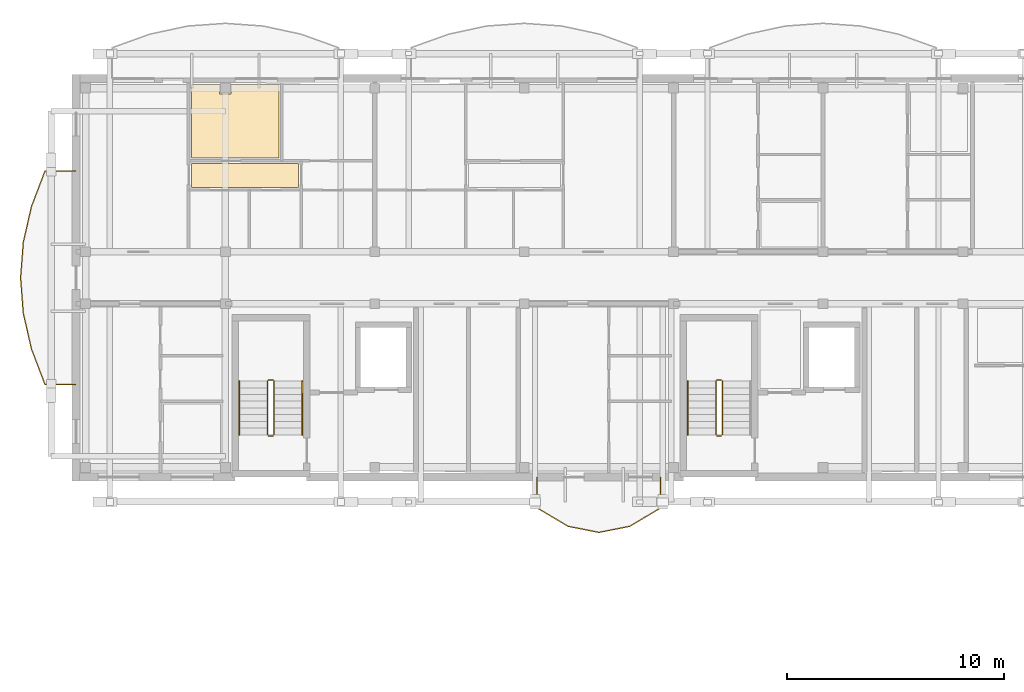
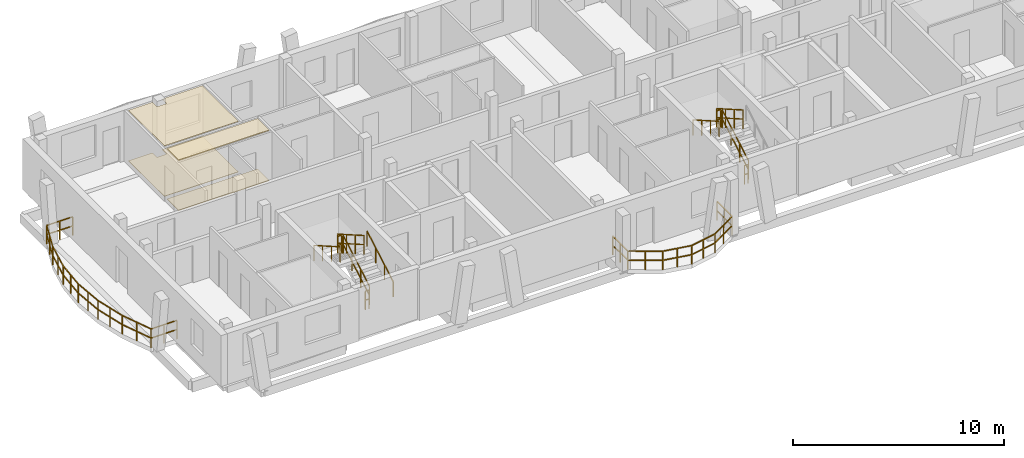
# One storey, part 43 of 52: 13 railings, 4 coverings.
"""IFC4 building model written with IfcOpenShell, lengths in metres."""

from ifc_helpers import new_model, si_unit, direction, frame, origin, origin_2d, place, context, subcontext, project, spatial, polyline, rectangle, outline, extrude, material, layer, layer_set, type_object, element, save


model = new_model("IFC4")

# Units and contexts
model_context = context("Model", 3, precision=1e-05, world=origin(), true_north=direction((0.0, 1.0)))
body_context = subcontext(model_context, "Body", "Model", "MODEL_VIEW")
ifc_project = project(units=[si_unit("LENGTHUNIT", "METRE"), si_unit("AREAUNIT", "SQUARE_METRE"), si_unit("VOLUMEUNIT", "CUBIC_METRE"), si_unit("PLANEANGLEUNIT", "RADIAN"), si_unit("MASSUNIT", "GRAM", prefix="KILO")], contexts=[model_context])

# Site, building, storey
site_placement = place(None, origin())
site = spatial("IfcSite", under=ifc_project, at=site_placement, CompositionType="ELEMENT")
building_placement = place(site_placement, origin())
building = spatial("IfcBuilding", under=site, at=building_placement, Name="Zavelmont Quarter", CompositionType="ELEMENT")
storey_placement = place(building_placement, frame((0.0, 0.0, 14.39990234375)))
storey = spatial("IfcBuildingStorey", under=building, at=storey_placement, Name="L04", CompositionType="ELEMENT", Elevation=14.39990234375)

# Coverings
ifc_material_1 = material(Name="Perforated acoustic gypsum board")
ifc_layer_1 = layer(ifc_material_1, 0.02490234375)
ifc_layer_set_1 = layer_set([ifc_layer_1], Name="Perforated acoustic gypsum board")
covering_type_1 = type_object("IfcCoveringType", Name="CV-CL01", PredefinedType="CEILING", material=ifc_layer_set_1)
covering_1_placement = place(storey_placement, frame((0.0, 0.0, 2.9150390625)))
element("IfcCovering", 1, at=covering_1_placement, inside=storey, type_object=covering_type_1, Name="L04 Master Bedroom acoustic ceiling", PredefinedType="CEILING", context=body_context, shape_type="SweptSolid", body=[
    extrude(outline(polyline([(5.330078125, 115.719970703125), (6.635009765625, 115.719970703125), (6.635009765625, 115.294921875), (7.1650390625, 115.294921875), (7.1650390625, 115.719970703125), (9.3701171875, 115.719970703125), (9.3701171875, 112.330078125), (5.330078125, 112.330078125), (5.330078125, 115.719970703125)])), origin(), (0.0, 0.0, 1.0), 0.025146484375),
])
ifc_material_2 = material(Name="Slatted European ash acoustic baffle ceiling")
ifc_layer_2 = layer(ifc_material_2, 0.0400390625)
ifc_layer_set_2 = layer_set([ifc_layer_2], Name="Slatted European ash acoustic baffle ceiling")
covering_type_2 = type_object("IfcCoveringType", Name="CV-CL02", PredefinedType="CEILING", material=ifc_layer_set_2)
covering_2_placement = place(storey_placement, frame((0.0, 0.0, 2.900146484375)))
element("IfcCovering", 2, at=covering_2_placement, inside=storey, type_object=covering_type_2, Name="L04 Apartment Hall acoustic ceiling", PredefinedType="CEILING", context=body_context, shape_type="SweptSolid", body=[
    extrude(outline(polyline([(5.330078125, 112.070068359375), (10.27001953125, 112.070068359375), (10.27001953125, 110.97998046875), (5.330078125, 110.97998046875), (5.330078125, 112.070068359375)])), origin(), (0.0, 0.0, 1.0), 0.0400390625),
])
ifc_material_3 = material(Name="Engineered European oak parquet")
ifc_layer_3 = layer(ifc_material_3, 0.02197265625)
ifc_layer_set_3 = layer_set([ifc_layer_3], Name="Engineered European oak parquet")
covering_type_3 = type_object("IfcCoveringType", Name="CV-FL01", PredefinedType="FLOORING", material=ifc_layer_set_3)
covering_3_placement = place(storey_placement, origin())
element("IfcCovering", 3, at=covering_3_placement, inside=storey, type_object=covering_type_3, Name="L04 Master Bedroom floor finish", PredefinedType="FLOORING", context=body_context, shape_type="SweptSolid", body=[
    extrude(outline(polyline([(5.330078125, 115.719970703125), (6.635009765625, 115.719970703125), (6.635009765625, 115.294921875), (7.1650390625, 115.294921875), (7.1650390625, 115.719970703125), (9.3701171875, 115.719970703125), (9.3701171875, 112.330078125), (5.330078125, 112.330078125), (5.330078125, 115.719970703125)])), origin(), (0.0, 0.0, 1.0), 0.022216796875),
])
ifc_material_4 = material(Name="Honed Belgian bluestone tile", Category="masonry")
ifc_layer_4 = layer(ifc_material_4, 0.030029296875)
ifc_layer_set_4 = layer_set([ifc_layer_4], Name="Honed Belgian bluestone tile")
covering_type_4 = type_object("IfcCoveringType", Name="CV-FL02", PredefinedType="FLOORING", material=ifc_layer_set_4)
covering_4_placement = place(storey_placement, origin())
element("IfcCovering", 4, at=covering_4_placement, inside=storey, type_object=covering_type_4, Name="L04 Apartment Hall floor finish", PredefinedType="FLOORING", context=body_context, shape_type="SweptSolid", body=[
    extrude(outline(polyline([(5.330078125, 112.070068359375), (10.27001953125, 112.070068359375), (10.27001953125, 110.97998046875), (5.330078125, 110.97998046875), (5.330078125, 112.070068359375)])), origin(), (0.0, 0.0, 1.0), 0.030029296875),
])

# Railings
ifc_material_5 = material(Name="Powder-coated steel and tempered double safety glass", Category="steel")
railing_type_1 = type_object("IfcRailingType", Name="RL-BAL1", PredefinedType="BALUSTRADE", material=ifc_material_5)
railing_1_placement = place(storey_placement, frame((-0.02001953125, 111.731689453125, 0.0)))
element("IfcRailing", 5, at=railing_1_placement, inside=storey, type_object=railing_type_1, Name="L04 Block B curved balcony guard RL-BAL1", PredefinedType="BALUSTRADE", context=body_context, shape_type="SweptSolid", body=[
    extrude(rectangle(XDim=0.048095703125, YDim=0.048095703125, at=origin_2d()), frame((0.0, 0.0, 1.076171875), z_axis=(-1.0, 0.0, 0.0), x_axis=(0.0, -1.0, 0.0)), (0.0, 0.0, 1.0), 1.414794921875),
    extrude(rectangle(XDim=0.048095703125, YDim=0.048095703125, at=origin_2d()), frame((0.0, 0.0, 0.550048828125), z_axis=(-1.0, 0.0, 0.0), x_axis=(0.0, -1.0, 0.0)), (0.0, 0.0, 1.0), 1.414794921875),
    extrude(rectangle(XDim=0.048095703125, YDim=0.048095703125, at=origin_2d()), frame((-1.414794921875, 0.0, 1.076171875), z_axis=(-0.355954931702, -0.93450312284, 0.0), x_axis=(0.93450312284, -0.355954931702, 0.0)), (0.0, 0.0, 1.0), 1.75927734375),
    extrude(rectangle(XDim=0.048095703125, YDim=0.048095703125, at=origin_2d()), frame((-1.414794921875, 0.0, 0.550048828125), z_axis=(-0.355954931702, -0.93450312284, 0.0), x_axis=(0.93450312284, -0.355954931702, 0.0)), (0.0, 0.0, 1.0), 1.75927734375),
    extrude(rectangle(XDim=0.048095703125, YDim=0.048095703125, at=origin_2d()), frame((-2.041015625, -1.64404296875, 1.076171875), z_axis=(-0.222828732905, -0.974857607957, 0.0), x_axis=(0.974857607957, -0.222828732905, 0.0)), (0.0, 0.0, 1.0), 1.686279296875),
    extrude(rectangle(XDim=0.048095703125, YDim=0.048095703125, at=origin_2d()), frame((-2.041015625, -1.64404296875, 0.550048828125), z_axis=(-0.222828732905, -0.974857607957, 0.0), x_axis=(0.974857607957, -0.222828732905, 0.0)), (0.0, 0.0, 1.0), 1.686279296875),
    extrude(rectangle(XDim=0.048095703125, YDim=0.048095703125, at=origin_2d()), frame((-2.416748046875, -3.287841796875, 1.076171875), z_axis=(-0.075971694197, -0.997109974717, 0.0), x_axis=(0.997109974717, -0.075971694197, 0.0)), (0.0, 0.0, 1.0), 1.648681640625),
    extrude(rectangle(XDim=0.048095703125, YDim=0.048095703125, at=origin_2d()), frame((-2.416748046875, -3.287841796875, 0.550048828125), z_axis=(-0.075971694197, -0.997109974717, 0.0), x_axis=(0.997109974717, -0.075971694197, 0.0)), (0.0, 0.0, 1.0), 1.648681640625),
    extrude(rectangle(XDim=0.048095703125, YDim=0.048095703125, at=origin_2d()), frame((-2.5419921875, -4.931640625, 1.076171875), z_axis=(0.07596047749, -0.997110829276, 0.0), x_axis=(0.997110829276, 0.07596047749, 0.0)), (0.0, 0.0, 1.0), 1.64892578125),
    extrude(rectangle(XDim=0.048095703125, YDim=0.048095703125, at=origin_2d()), frame((-2.5419921875, -4.931640625, 0.550048828125), z_axis=(0.07596047749, -0.997110829276, 0.0), x_axis=(0.997110829276, 0.07596047749, 0.0)), (0.0, 0.0, 1.0), 1.64892578125),
    extrude(rectangle(XDim=0.048095703125, YDim=0.048095703125, at=origin_2d()), frame((-2.416748046875, -6.57568359375, 1.076171875), z_axis=(0.222828732905, -0.974857607957, 0.0), x_axis=(0.974857607957, 0.222828732905, 0.0)), (0.0, 0.0, 1.0), 1.686279296875),
    extrude(rectangle(XDim=0.048095703125, YDim=0.048095703125, at=origin_2d()), frame((-2.416748046875, -6.57568359375, 0.550048828125), z_axis=(0.222828732905, -0.974857607957, 0.0), x_axis=(0.974857607957, 0.222828732905, 0.0)), (0.0, 0.0, 1.0), 1.686279296875),
    extrude(rectangle(XDim=0.048095703125, YDim=0.048095703125, at=origin_2d()), frame((-2.041015625, -8.219482421875, 1.076171875), z_axis=(0.356001099128, -0.934485536228, 0.0), x_axis=(0.934485536228, 0.356001099128, 0.0)), (0.0, 0.0, 1.0), 1.759033203125),
    extrude(rectangle(XDim=0.048095703125, YDim=0.048095703125, at=origin_2d()), frame((-2.041015625, -8.219482421875, 0.550048828125), z_axis=(0.356001099128, -0.934485536228, 0.0), x_axis=(0.934485536228, 0.356001099128, 0.0)), (0.0, 0.0, 1.0), 1.759033203125),
    extrude(rectangle(XDim=0.048095703125, YDim=0.048095703125, at=origin_2d()), frame((-1.414794921875, -9.86328125, 1.076171875), z_axis=(1.0, 0.0, 0.0), x_axis=(0.0, 1.0, 0.0)), (0.0, 0.0, 1.0), 1.414794921875),
    extrude(rectangle(XDim=0.048095703125, YDim=0.048095703125, at=origin_2d()), frame((-1.414794921875, -9.86328125, 0.550048828125), z_axis=(1.0, 0.0, 0.0), x_axis=(0.0, 1.0, 0.0)), (0.0, 0.0, 1.0), 1.414794921875),
    extrude(rectangle(XDim=0.0419921875, YDim=0.0419921875, at=origin_2d()), origin(), (0.0, 0.0, 1.0), 1.052001953125),
    extrude(rectangle(XDim=0.0419921875, YDim=0.0419921875, at=origin_2d()), frame((-0.70751953125, 0.0, 0.0)), (0.0, 0.0, 1.0), 1.052001953125),
    extrude(rectangle(XDim=0.0419921875, YDim=0.0419921875, at=origin_2d()), frame((-1.414794921875, 0.0, 0.0)), (0.0, 0.0, 1.0), 1.052001953125),
    extrude(rectangle(XDim=0.0419921875, YDim=0.0419921875, at=origin_2d()), frame((-1.72802734375, -0.822021484375, 0.0)), (0.0, 0.0, 1.0), 1.052001953125),
    extrude(rectangle(XDim=0.0419921875, YDim=0.0419921875, at=origin_2d()), frame((-2.041015625, -1.64404296875, 0.0)), (0.0, 0.0, 1.0), 1.052001953125),
    extrude(rectangle(XDim=0.0419921875, YDim=0.0419921875, at=origin_2d()), frame((-2.22900390625, -2.4658203125, 0.0)), (0.0, 0.0, 1.0), 1.052001953125),
    extrude(rectangle(XDim=0.0419921875, YDim=0.0419921875, at=origin_2d()), frame((-2.416748046875, -3.287841796875, 0.0)), (0.0, 0.0, 1.0), 1.052001953125),
    extrude(rectangle(XDim=0.0419921875, YDim=0.0419921875, at=origin_2d()), frame((-2.4794921875, -4.10986328125, 0.0)), (0.0, 0.0, 1.0), 1.052001953125),
    extrude(rectangle(XDim=0.0419921875, YDim=0.0419921875, at=origin_2d()), frame((-2.5419921875, -4.931640625, 0.0)), (0.0, 0.0, 1.0), 1.052001953125),
    extrude(rectangle(XDim=0.0419921875, YDim=0.0419921875, at=origin_2d()), frame((-2.4794921875, -5.753662109375, 0.0)), (0.0, 0.0, 1.0), 1.052001953125),
    extrude(rectangle(XDim=0.0419921875, YDim=0.0419921875, at=origin_2d()), frame((-2.416748046875, -6.57568359375, 0.0)), (0.0, 0.0, 1.0), 1.052001953125),
    extrude(rectangle(XDim=0.0419921875, YDim=0.0419921875, at=origin_2d()), frame((-2.22900390625, -7.3974609375, 0.0)), (0.0, 0.0, 1.0), 1.052001953125),
    extrude(rectangle(XDim=0.0419921875, YDim=0.0419921875, at=origin_2d()), frame((-2.041015625, -8.219482421875, 0.0)), (0.0, 0.0, 1.0), 1.052001953125),
    extrude(rectangle(XDim=0.0419921875, YDim=0.0419921875, at=origin_2d()), frame((-1.72802734375, -9.04150390625, 0.0)), (0.0, 0.0, 1.0), 1.052001953125),
    extrude(rectangle(XDim=0.0419921875, YDim=0.0419921875, at=origin_2d()), frame((-1.414794921875, -9.86328125, 0.0)), (0.0, 0.0, 1.0), 1.052001953125),
    extrude(rectangle(XDim=0.0419921875, YDim=0.0419921875, at=origin_2d()), frame((-0.70751953125, -9.86328125, 0.0)), (0.0, 0.0, 1.0), 1.052001953125),
    extrude(rectangle(XDim=0.0419921875, YDim=0.0419921875, at=origin_2d()), frame((0.0, -9.86328125, 0.0)), (0.0, 0.0, 1.0), 1.052001953125),
])
railing_2_placement = place(storey_placement, frame((21.300048828125, 97.580078125, 0.0)))
element("IfcRailing", 6, at=railing_2_placement, inside=storey, type_object=railing_type_1, Name="L04 Block B curved balcony guard RL-BAL1", PredefinedType="BALUSTRADE", context=body_context, shape_type="SweptSolid", body=[
    extrude(rectangle(XDim=0.048095703125, YDim=0.048095703125, at=origin_2d()), frame((0.0, 0.0, 1.076171875), z_axis=(0.0, -1.0, 0.0), x_axis=(1.0, 0.0, 0.0)), (0.0, 0.0, 1.0), 1.414794921875),
    extrude(rectangle(XDim=0.048095703125, YDim=0.048095703125, at=origin_2d()), frame((0.0, 0.0, 0.550048828125), z_axis=(0.0, -1.0, 0.0), x_axis=(1.0, 0.0, 0.0)), (0.0, 0.0, 1.0), 1.414794921875),
    extrude(rectangle(XDim=0.048095703125, YDim=0.048095703125, at=origin_2d()), frame((0.0, -1.414794921875, 1.076171875), z_axis=(0.860030544814, -0.510242552114, 0.0), x_axis=(0.510242552114, 0.860030544814, 0.0)), (0.0, 0.0, 1.0), 1.656982421875),
    extrude(rectangle(XDim=0.048095703125, YDim=0.048095703125, at=origin_2d()), frame((0.0, -1.414794921875, 0.550048828125), z_axis=(0.860030544814, -0.510242552114, 0.0), x_axis=(0.510242552114, 0.860030544814, 0.0)), (0.0, 0.0, 1.0), 1.656982421875),
    extrude(rectangle(XDim=0.048095703125, YDim=0.048095703125, at=origin_2d()), frame((1.425048828125, -2.26025390625, 1.076171875), z_axis=(0.981005058503, -0.193982151733, 0.0), x_axis=(0.193982151733, 0.981005058503, 0.0)), (0.0, 0.0, 1.0), 1.452392578125),
    extrude(rectangle(XDim=0.048095703125, YDim=0.048095703125, at=origin_2d()), frame((1.425048828125, -2.26025390625, 0.550048828125), z_axis=(0.981005058503, -0.193982151733, 0.0), x_axis=(0.193982151733, 0.981005058503, 0.0)), (0.0, 0.0, 1.0), 1.452392578125),
    extrude(rectangle(XDim=0.048095703125, YDim=0.048095703125, at=origin_2d()), frame((2.849853515625, -2.5419921875, 1.076171875), z_axis=(0.981011382215, 0.193950168764, 0.0), x_axis=(-0.193950168764, 0.981011382215, 0.0)), (0.0, 0.0, 1.0), 1.45263671875),
    extrude(rectangle(XDim=0.048095703125, YDim=0.048095703125, at=origin_2d()), frame((2.849853515625, -2.5419921875, 0.550048828125), z_axis=(0.981011382215, 0.193950168764, 0.0), x_axis=(-0.193950168764, 0.981011382215, 0.0)), (0.0, 0.0, 1.0), 1.45263671875),
    extrude(rectangle(XDim=0.048095703125, YDim=0.048095703125, at=origin_2d()), frame((4.27490234375, -2.26025390625, 1.076171875), z_axis=(0.860030544814, 0.510242552114, 0.0), x_axis=(-0.510242552114, 0.860030544814, 0.0)), (0.0, 0.0, 1.0), 1.656982421875),
    extrude(rectangle(XDim=0.048095703125, YDim=0.048095703125, at=origin_2d()), frame((4.27490234375, -2.26025390625, 0.550048828125), z_axis=(0.860030544814, 0.510242552114, 0.0), x_axis=(-0.510242552114, 0.860030544814, 0.0)), (0.0, 0.0, 1.0), 1.656982421875),
    extrude(rectangle(XDim=0.048095703125, YDim=0.048095703125, at=origin_2d()), frame((5.699951171875, -1.414794921875, 1.076171875), z_axis=(0.0, 1.0, 0.0), x_axis=(-1.0, 0.0, 0.0)), (0.0, 0.0, 1.0), 1.414794921875),
    extrude(rectangle(XDim=0.048095703125, YDim=0.048095703125, at=origin_2d()), frame((5.699951171875, -1.414794921875, 0.550048828125), z_axis=(0.0, 1.0, 0.0), x_axis=(-1.0, 0.0, 0.0)), (0.0, 0.0, 1.0), 1.414794921875),
    extrude(rectangle(XDim=0.0419921875, YDim=0.0419921875, at=origin_2d()), origin(), (0.0, 0.0, 1.0), 1.052001953125),
    extrude(rectangle(XDim=0.0419921875, YDim=0.0419921875, at=origin_2d()), frame((0.0, -0.70751953125, 0.0)), (0.0, 0.0, 1.0), 1.052001953125),
    extrude(rectangle(XDim=0.0419921875, YDim=0.0419921875, at=origin_2d()), frame((0.0, -1.414794921875, 0.0)), (0.0, 0.0, 1.0), 1.052001953125),
    extrude(rectangle(XDim=0.0419921875, YDim=0.0419921875, at=origin_2d()), frame((0.71240234375, -1.83740234375, 0.0)), (0.0, 0.0, 1.0), 1.052001953125),
    extrude(rectangle(XDim=0.0419921875, YDim=0.0419921875, at=origin_2d()), frame((1.425048828125, -2.26025390625, 0.0)), (0.0, 0.0, 1.0), 1.052001953125),
    extrude(rectangle(XDim=0.0419921875, YDim=0.0419921875, at=origin_2d()), frame((2.137451171875, -2.401123046875, 0.0)), (0.0, 0.0, 1.0), 1.052001953125),
    extrude(rectangle(XDim=0.0419921875, YDim=0.0419921875, at=origin_2d()), frame((2.849853515625, -2.5419921875, 0.0)), (0.0, 0.0, 1.0), 1.052001953125),
    extrude(rectangle(XDim=0.0419921875, YDim=0.0419921875, at=origin_2d()), frame((3.5625, -2.401123046875, 0.0)), (0.0, 0.0, 1.0), 1.052001953125),
    extrude(rectangle(XDim=0.0419921875, YDim=0.0419921875, at=origin_2d()), frame((4.27490234375, -2.26025390625, 0.0)), (0.0, 0.0, 1.0), 1.052001953125),
    extrude(rectangle(XDim=0.0419921875, YDim=0.0419921875, at=origin_2d()), frame((4.9873046875, -1.83740234375, 0.0)), (0.0, 0.0, 1.0), 1.052001953125),
    extrude(rectangle(XDim=0.0419921875, YDim=0.0419921875, at=origin_2d()), frame((5.699951171875, -1.414794921875, 0.0)), (0.0, 0.0, 1.0), 1.052001953125),
    extrude(rectangle(XDim=0.0419921875, YDim=0.0419921875, at=origin_2d()), frame((5.699951171875, -0.70751953125, 0.0)), (0.0, 0.0, 1.0), 1.052001953125),
    extrude(rectangle(XDim=0.0419921875, YDim=0.0419921875, at=origin_2d()), frame((5.699951171875, 0.0, 0.0)), (0.0, 0.0, 1.0), 1.052001953125),
])
ifc_material_6 = material(Name="Powder-coated steel stair guardrail", Category="steel")
railing_type_2 = type_object("IfcRailingType", Name="RL-GRD1", PredefinedType="GUARDRAIL", material=ifc_material_6)
railing_3_placement = place(storey_placement, frame((9.14990234375, 99.550048828125, 0.177978515625)))
element("IfcRailing", 7, at=railing_3_placement, inside=storey, type_object=railing_type_2, Name="L04 ST03 stair guardrail 1", PredefinedType="GUARDRAIL", context=body_context, shape_type="SweptSolid", body=[
    extrude(rectangle(XDim=0.048095703125, YDim=0.048095703125, at=origin_2d()), frame((0.0, 0.0, 1.076171875), z_axis=(0.0, 0.867490628297, 0.497453525283), x_axis=(-1.0, 0.0, 0.0)), (0.0, 0.0, 1.0), 2.85888671875),
    extrude(rectangle(XDim=0.048095703125, YDim=0.048095703125, at=origin_2d()), frame((0.0, 0.0, 0.550048828125), z_axis=(0.0, 0.867490628297, 0.497453525283), x_axis=(-1.0, 0.0, 0.0)), (0.0, 0.0, 1.0), 2.85888671875),
    extrude(rectangle(XDim=0.0419921875, YDim=0.0419921875, at=origin_2d()), origin(), (0.0, 0.0, 1.0), 1.052001953125),
    extrude(rectangle(XDim=0.0419921875, YDim=0.0419921875, at=origin_2d()), frame((0.0, 0.82666015625, 0.47412109375)), (0.0, 0.0, 1.0), 1.052001953125),
    extrude(rectangle(XDim=0.0419921875, YDim=0.0419921875, at=origin_2d()), frame((0.0, 1.6533203125, 0.947998046875)), (0.0, 0.0, 1.0), 1.052001953125),
    extrude(rectangle(XDim=0.0419921875, YDim=0.0419921875, at=origin_2d()), frame((0.0, 2.47998046875, 1.422119140625)), (0.0, 0.0, 1.0), 1.052001953125),
])
railing_4_placement = place(storey_placement, frame((9.10009765625, 102.080078125, 1.60009765625)))
element("IfcRailing", 8, at=railing_4_placement, inside=storey, type_object=railing_type_2, Name="L04 ST03 stair guardrail 2", PredefinedType="GUARDRAIL", context=body_context, shape_type="SweptSolid", body=[
    extrude(rectangle(XDim=0.048095703125, YDim=0.048095703125, at=origin_2d()), frame((0.0, 0.0, 1.076171875), z_axis=(-1.0, 0.0, 0.0), x_axis=(0.0, -1.0, 0.0)), (0.0, 0.0, 1.0), 0.2001953125),
    extrude(rectangle(XDim=0.048095703125, YDim=0.048095703125, at=origin_2d()), frame((0.0, 0.0, 0.550048828125), z_axis=(-1.0, 0.0, 0.0), x_axis=(0.0, -1.0, 0.0)), (0.0, 0.0, 1.0), 0.2001953125),
    extrude(rectangle(XDim=0.0419921875, YDim=0.0419921875, at=origin_2d()), origin(), (0.0, 0.0, 1.0), 1.052001953125),
    extrude(rectangle(XDim=0.0419921875, YDim=0.0419921875, at=origin_2d()), frame((-0.2001953125, 0.0, 0.0)), (0.0, 0.0, 1.0), 1.052001953125),
])
railing_5_placement = place(storey_placement, frame((8.85009765625, 102.030029296875, 1.77783203125)))
element("IfcRailing", 9, at=railing_5_placement, inside=storey, type_object=railing_type_2, Name="L04 ST03 stair guardrail 3", PredefinedType="GUARDRAIL", context=body_context, shape_type="SweptSolid", body=[
    extrude(rectangle(XDim=0.048095703125, YDim=0.048095703125, at=origin_2d()), frame((0.0, 0.0, 1.076171875), z_axis=(0.0, -0.867453774394, 0.497517787913), x_axis=(1.0, 0.0, 0.0)), (0.0, 0.0, 1.0), 2.85888671875),
    extrude(rectangle(XDim=0.048095703125, YDim=0.048095703125, at=origin_2d()), frame((0.0, 0.0, 0.550048828125), z_axis=(0.0, -0.867453774394, 0.497517787913), x_axis=(1.0, 0.0, 0.0)), (0.0, 0.0, 1.0), 2.85888671875),
    extrude(rectangle(XDim=0.0419921875, YDim=0.0419921875, at=origin_2d()), origin(), (0.0, 0.0, 1.0), 1.052001953125),
    extrude(rectangle(XDim=0.0419921875, YDim=0.0419921875, at=origin_2d()), frame((0.0, -0.82666015625, 0.47412109375)), (0.0, 0.0, 1.0), 1.052001953125),
    extrude(rectangle(XDim=0.0419921875, YDim=0.0419921875, at=origin_2d()), frame((0.0, -1.6533203125, 0.9482421875)), (0.0, 0.0, 1.0), 1.052001953125),
    extrude(rectangle(XDim=0.0419921875, YDim=0.0419921875, at=origin_2d()), frame((0.0, -2.47998046875, 1.42236328125)), (0.0, 0.0, 1.0), 1.052001953125),
])
railing_6_placement = place(storey_placement, frame((9.10009765625, 99.5, 0.0)))
element("IfcRailing", 10, at=railing_6_placement, inside=storey, type_object=railing_type_2, Name="L04 ST03 stair guardrail 4", PredefinedType="GUARDRAIL", context=body_context, shape_type="SweptSolid", body=[
    extrude(rectangle(XDim=0.048095703125, YDim=0.048095703125, at=origin_2d()), frame((0.0, 0.0, 1.076171875), z_axis=(-1.0, 0.0, 0.0), x_axis=(0.0, -1.0, 0.0)), (0.0, 0.0, 1.0), 0.2001953125),
    extrude(rectangle(XDim=0.048095703125, YDim=0.048095703125, at=origin_2d()), frame((0.0, 0.0, 0.550048828125), z_axis=(-1.0, 0.0, 0.0), x_axis=(0.0, -1.0, 0.0)), (0.0, 0.0, 1.0), 0.2001953125),
    extrude(rectangle(XDim=0.0419921875, YDim=0.0419921875, at=origin_2d()), origin(), (0.0, 0.0, 1.0), 1.052001953125),
    extrude(rectangle(XDim=0.0419921875, YDim=0.0419921875, at=origin_2d()), frame((-0.2001953125, 0.0, 0.0)), (0.0, 0.0, 1.0), 1.052001953125),
])
railing_7_placement = place(storey_placement, frame((29.85009765625, 99.550048828125, 0.177978515625)))
element("IfcRailing", 11, at=railing_7_placement, inside=storey, type_object=railing_type_2, Name="L04 ST04 stair guardrail 1", PredefinedType="GUARDRAIL", context=body_context, shape_type="SweptSolid", body=[
    extrude(rectangle(XDim=0.048095703125, YDim=0.048095703125, at=origin_2d()), frame((0.0, 0.0, 1.076171875), z_axis=(0.0, 0.867490628297, 0.497453525283), x_axis=(-1.0, 0.0, 0.0)), (0.0, 0.0, 1.0), 2.85888671875),
    extrude(rectangle(XDim=0.048095703125, YDim=0.048095703125, at=origin_2d()), frame((0.0, 0.0, 0.550048828125), z_axis=(0.0, 0.867490628297, 0.497453525283), x_axis=(-1.0, 0.0, 0.0)), (0.0, 0.0, 1.0), 2.85888671875),
    extrude(rectangle(XDim=0.0419921875, YDim=0.0419921875, at=origin_2d()), origin(), (0.0, 0.0, 1.0), 1.052001953125),
    extrude(rectangle(XDim=0.0419921875, YDim=0.0419921875, at=origin_2d()), frame((0.0, 0.82666015625, 0.47412109375)), (0.0, 0.0, 1.0), 1.052001953125),
    extrude(rectangle(XDim=0.0419921875, YDim=0.0419921875, at=origin_2d()), frame((0.0, 1.6533203125, 0.947998046875)), (0.0, 0.0, 1.0), 1.052001953125),
    extrude(rectangle(XDim=0.0419921875, YDim=0.0419921875, at=origin_2d()), frame((0.0, 2.47998046875, 1.422119140625)), (0.0, 0.0, 1.0), 1.052001953125),
])
railing_8_placement = place(storey_placement, frame((29.800048828125, 102.080078125, 1.60009765625)))
element("IfcRailing", 12, at=railing_8_placement, inside=storey, type_object=railing_type_2, Name="L04 ST04 stair guardrail 2", PredefinedType="GUARDRAIL", context=body_context, shape_type="SweptSolid", body=[
    extrude(rectangle(XDim=0.048095703125, YDim=0.048095703125, at=origin_2d()), frame((0.0, 0.0, 1.076171875), z_axis=(-1.0, 0.0, 0.0), x_axis=(0.0, -1.0, 0.0)), (0.0, 0.0, 1.0), 0.199951171875),
    extrude(rectangle(XDim=0.048095703125, YDim=0.048095703125, at=origin_2d()), frame((0.0, 0.0, 0.550048828125), z_axis=(-1.0, 0.0, 0.0), x_axis=(0.0, -1.0, 0.0)), (0.0, 0.0, 1.0), 0.199951171875),
    extrude(rectangle(XDim=0.0419921875, YDim=0.0419921875, at=origin_2d()), origin(), (0.0, 0.0, 1.0), 1.052001953125),
    extrude(rectangle(XDim=0.0419921875, YDim=0.0419921875, at=origin_2d()), frame((-0.199951171875, 0.0, 0.0)), (0.0, 0.0, 1.0), 1.052001953125),
])
railing_9_placement = place(storey_placement, frame((29.550048828125, 102.030029296875, 1.77783203125)))
element("IfcRailing", 13, at=railing_9_placement, inside=storey, type_object=railing_type_2, Name="L04 ST04 stair guardrail 3", PredefinedType="GUARDRAIL", context=body_context, shape_type="SweptSolid", body=[
    extrude(rectangle(XDim=0.048095703125, YDim=0.048095703125, at=origin_2d()), frame((0.0, 0.0, 1.076171875), z_axis=(0.0, -0.867453774394, 0.497517787913), x_axis=(1.0, 0.0, 0.0)), (0.0, 0.0, 1.0), 2.85888671875),
    extrude(rectangle(XDim=0.048095703125, YDim=0.048095703125, at=origin_2d()), frame((0.0, 0.0, 0.550048828125), z_axis=(0.0, -0.867453774394, 0.497517787913), x_axis=(1.0, 0.0, 0.0)), (0.0, 0.0, 1.0), 2.85888671875),
    extrude(rectangle(XDim=0.0419921875, YDim=0.0419921875, at=origin_2d()), origin(), (0.0, 0.0, 1.0), 1.052001953125),
    extrude(rectangle(XDim=0.0419921875, YDim=0.0419921875, at=origin_2d()), frame((0.0, -0.82666015625, 0.47412109375)), (0.0, 0.0, 1.0), 1.052001953125),
    extrude(rectangle(XDim=0.0419921875, YDim=0.0419921875, at=origin_2d()), frame((0.0, -1.6533203125, 0.9482421875)), (0.0, 0.0, 1.0), 1.052001953125),
    extrude(rectangle(XDim=0.0419921875, YDim=0.0419921875, at=origin_2d()), frame((0.0, -2.47998046875, 1.42236328125)), (0.0, 0.0, 1.0), 1.052001953125),
])
railing_10_placement = place(storey_placement, frame((29.800048828125, 99.5, 0.0)))
element("IfcRailing", 14, at=railing_10_placement, inside=storey, type_object=railing_type_2, Name="L04 ST04 stair guardrail 4", PredefinedType="GUARDRAIL", context=body_context, shape_type="SweptSolid", body=[
    extrude(rectangle(XDim=0.048095703125, YDim=0.048095703125, at=origin_2d()), frame((0.0, 0.0, 1.076171875), z_axis=(-1.0, 0.0, 0.0), x_axis=(0.0, -1.0, 0.0)), (0.0, 0.0, 1.0), 0.199951171875),
    extrude(rectangle(XDim=0.048095703125, YDim=0.048095703125, at=origin_2d()), frame((0.0, 0.0, 0.550048828125), z_axis=(-1.0, 0.0, 0.0), x_axis=(0.0, -1.0, 0.0)), (0.0, 0.0, 1.0), 0.199951171875),
    extrude(rectangle(XDim=0.0419921875, YDim=0.0419921875, at=origin_2d()), origin(), (0.0, 0.0, 1.0), 1.052001953125),
    extrude(rectangle(XDim=0.0419921875, YDim=0.0419921875, at=origin_2d()), frame((-0.199951171875, 0.0, 0.0)), (0.0, 0.0, 1.0), 1.052001953125),
])
ifc_material_7 = material(Name="Brushed stainless-steel wall handrail", Category="steel")
railing_type_3 = type_object("IfcRailingType", Name="RL-HND1", PredefinedType="HANDRAIL", material=ifc_material_7)
railing_11_placement = place(storey_placement, frame((10.449951171875, 99.550048828125, 0.177978515625)))
element("IfcRailing", 15, at=railing_11_placement, inside=storey, type_object=railing_type_3, Name="L04 ST03 stair handrail 1", PredefinedType="HANDRAIL", context=body_context, shape_type="SweptSolid", body=[
    extrude(rectangle(XDim=0.048095703125, YDim=0.048095703125, at=origin_2d()), frame((0.0, 0.0, 0.8759765625), z_axis=(0.0, 0.867490628297, 0.497453525283), x_axis=(-1.0, 0.0, 0.0)), (0.0, 0.0, 1.0), 2.85888671875),
    extrude(rectangle(XDim=0.0419921875, YDim=0.0419921875, at=origin_2d()), origin(), (0.0, 0.0, 1.0), 0.851806640625),
    extrude(rectangle(XDim=0.0419921875, YDim=0.0419921875, at=origin_2d()), frame((0.0, 0.82666015625, 0.47412109375)), (0.0, 0.0, 1.0), 0.851806640625),
    extrude(rectangle(XDim=0.0419921875, YDim=0.0419921875, at=origin_2d()), frame((0.0, 1.6533203125, 0.947998046875)), (0.0, 0.0, 1.0), 0.851806640625),
    extrude(rectangle(XDim=0.0419921875, YDim=0.0419921875, at=origin_2d()), frame((0.0, 2.47998046875, 1.422119140625)), (0.0, 0.0, 1.0), 0.851806640625),
])
for number, where, name in (
    (16, (7.550048828125, 102.030029296875, 1.77783203125), "L04 ST03 stair handrail 2"),
    (17, (28.25, 102.030029296875, 1.77783203125), "L04 ST04 stair handrail 2"),
):
    element("IfcRailing", number, at=place(storey_placement, frame(where)), inside=storey, type_object=railing_type_3, Name=name, PredefinedType="HANDRAIL", context=body_context, shape_type="SweptSolid", body=[
        extrude(rectangle(XDim=0.048095703125, YDim=0.048095703125, at=origin_2d()), frame((0.0, 0.0, 0.8759765625), z_axis=(0.0, -0.867453774394, 0.497517787913), x_axis=(1.0, 0.0, 0.0)), (0.0, 0.0, 1.0), 2.85888671875),
        extrude(rectangle(XDim=0.0419921875, YDim=0.0419921875, at=origin_2d()), origin(), (0.0, 0.0, 1.0), 0.851806640625),
        extrude(rectangle(XDim=0.0419921875, YDim=0.0419921875, at=origin_2d()), frame((0.0, -0.82666015625, 0.47412109375)), (0.0, 0.0, 1.0), 0.851806640625),
        extrude(rectangle(XDim=0.0419921875, YDim=0.0419921875, at=origin_2d()), frame((0.0, -1.6533203125, 0.9482421875)), (0.0, 0.0, 1.0), 0.851806640625),
        extrude(rectangle(XDim=0.0419921875, YDim=0.0419921875, at=origin_2d()), frame((0.0, -2.47998046875, 1.42236328125)), (0.0, 0.0, 1.0), 0.851806640625),
    ])

save(model, "model.ifc")
